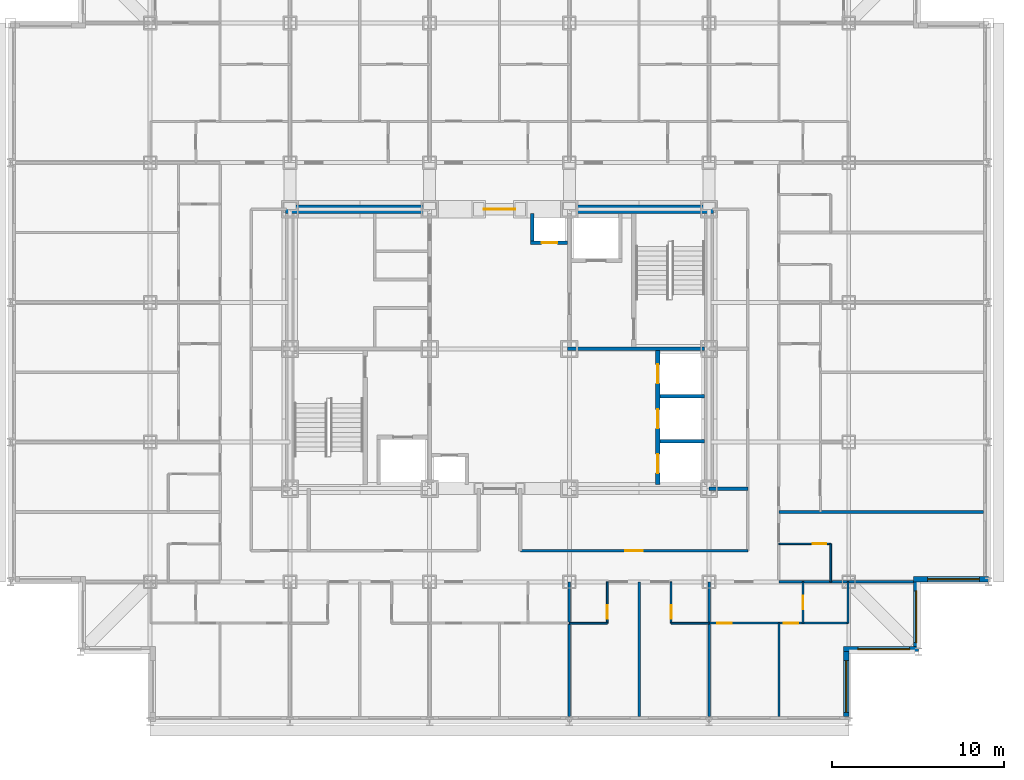
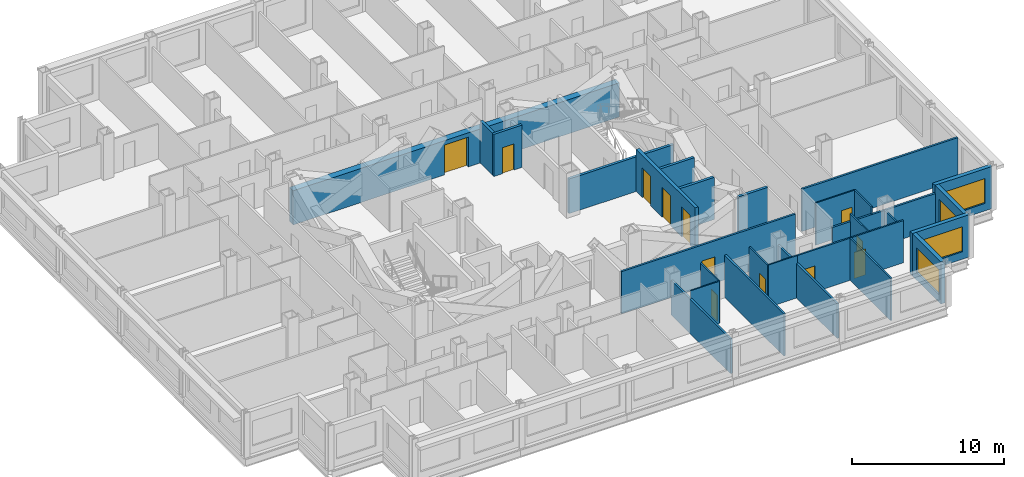
# One storey, part 7 of 12: 28 walls, 12 doors, 4 windows, 16 openings.
"""IFC4 building model written with IfcOpenShell, lengths in metres."""

import ifcopenshell
import ifcopenshell.guid

model = None  # the IFC model being written
_history = None  # IfcOwnerHistory: only IFC2X3 demands one
_inside = {}  # id of a spatial element -> (the spatial element, [elements in it])
_under = {}  # id of a project, library or spatial element -> (it, [spatial elements below it])
_declared = {}  # id of a project -> (the project, [libraries it declares])
_typed = {}  # id of a type object -> (the type object, [elements of that type])
_made_of = {}  # id of a material, layer set ... -> (it, [elements and type objects made of it])


def new_model(schema):
    """Start an empty IFC model of exactly this schema.

    Asked for "IFC4X3", IfcOpenShell would pick the latest addendum, in which some entities
    have other attributes; the version numbers below select the first issue.
    IFC2X3 requires an IfcOwnerHistory on every rooted entity: one is made here for all.
    """
    global model, _history
    if schema == "IFC4X3":
        model = ifcopenshell.file(schema_version=(4, 3, 0, 0))
    else:
        model = ifcopenshell.file(schema=schema)
    _inside.clear()
    _under.clear()
    _declared.clear()
    _typed.clear()
    _made_of.clear()
    _history = None
    if model.schema == "IFC2X3":
        org = make("IfcOrganization", Name="unknown")
        user = make(
            "IfcPersonAndOrganization",
            ThePerson=make("IfcPerson", FamilyName="unknown"),
            TheOrganization=org,
        )
        app = make(
            "IfcApplication",
            ApplicationDeveloper=org,
            Version="unknown",
            ApplicationFullName="unknown",
            ApplicationIdentifier="unknown",
        )
        _history = make(
            "IfcOwnerHistory",
            OwningUser=user,
            OwningApplication=app,
            ChangeAction="ADDED",
            CreationDate=0,
        )
    return model


def make(cls, **values):
    """One entity of the class cls with the attributes given. An attribute that is None is left unset."""
    return model.create_entity(
        cls, **{name: value for name, value in values.items() if value is not None}
    )


def rooted(cls, **values):
    """An entity with a GlobalId (a new one), such as an element, a storey or a relation."""
    return make(cls, GlobalId=ifcopenshell.guid.new(), OwnerHistory=_history, **values)


def si_unit(unit_type, name, prefix=None):
    """IfcSIUnit, for example si_unit("LENGTHUNIT", "METRE", prefix="MILLI")."""
    return make("IfcSIUnit", UnitType=unit_type, Prefix=prefix, Name=name)


def assignment(units):
    """IfcUnitAssignment: the units of a project."""
    return None if units is None else make("IfcUnitAssignment", Units=units)


def point(xyz):
    """IfcCartesianPoint."""
    return None if xyz is None else make("IfcCartesianPoint", Coordinates=xyz)


def direction(xyz):
    """IfcDirection."""
    return None if xyz is None else make("IfcDirection", DirectionRatios=xyz)


def frame(location, z_axis=None, x_axis=None):
    """IfcAxis2Placement3D, a coordinate frame: its origin and axes. An axis left out is left unset."""
    return make(
        "IfcAxis2Placement3D",
        Location=point(location),
        Axis=direction(z_axis),
        RefDirection=direction(x_axis),
    )


def frame_2d(location, x_axis=None):
    """IfcAxis2Placement2D, a coordinate frame in the plane: its origin and x axis."""
    return make(
        "IfcAxis2Placement2D", Location=point(location), RefDirection=direction(x_axis)
    )


def origin():
    """The frame at (0, 0, 0) with its axes left unset."""
    return frame((0.0, 0.0, 0.0))


def place(relative_to, where):
    """IfcLocalPlacement: puts the frame where relative to a parent placement (None: the world)."""
    return make(
        "IfcLocalPlacement", PlacementRelTo=relative_to, RelativePlacement=where
    )


def context(
    kind, dimensions, precision=None, world=None, true_north=None, identifier=None
):
    """IfcGeometricRepresentationContext, for example the 3D "Model" context."""
    return make(
        "IfcGeometricRepresentationContext",
        ContextIdentifier=identifier,
        ContextType=kind,
        CoordinateSpaceDimension=dimensions,
        Precision=precision,
        WorldCoordinateSystem=world,
        TrueNorth=true_north,
    )


def subcontext(parent, identifier, kind, view, scale=None):
    """IfcGeometricRepresentationSubContext, for example "Body" below "Model"."""
    return make(
        "IfcGeometricRepresentationSubContext",
        ContextIdentifier=identifier,
        ContextType=kind,
        ParentContext=parent,
        TargetScale=scale,
        TargetView=view,
    )


def project(units=None, contexts=None):
    """IfcProject with its units and contexts."""
    return rooted(
        "IfcProject",
        Name="project",
        RepresentationContexts=contexts,
        UnitsInContext=assignment(units),
    )


def spatial(cls, under=None, at=None, **own):
    """A site, building, storey or space (cls), placed at a placement, below another one or the project."""
    s = rooted(cls, ObjectPlacement=at, **own)
    if under is not None:
        _under.setdefault(under.id(), (under, []))[1].append(s)
    return s


def profile(cls, at=None, kind="AREA", **sizes):
    """A parametric profile (cls). Its sizes go by their IFC names, for example OverallWidth=200.0."""
    return make(cls, ProfileType=kind, Position=at, **sizes)


def rectangle(**sizes):
    """IfcRectangleProfileDef."""
    return profile("IfcRectangleProfileDef", **sizes)


def extrude(swept, where, along, depth):
    """IfcExtrudedAreaSolid: the profile swept, set in the frame where, extruded along a direction by depth."""
    return make(
        "IfcExtrudedAreaSolid",
        SweptArea=swept,
        Position=where,
        ExtrudedDirection=direction(along),
        Depth=depth,
    )


def shape(context_of_items, identifier, shape_type, items):
    """IfcShapeRepresentation: the items that make up one representation, for example the "Body"."""
    return make(
        "IfcShapeRepresentation",
        ContextOfItems=context_of_items,
        RepresentationIdentifier=identifier,
        RepresentationType=shape_type,
        Items=items,
    )


def material(Name=None, Category=None):
    """IfcMaterial."""
    return make("IfcMaterial", Name=Name, Category=Category)


def layer(
    of_material, thickness, ventilated=None, Name=None, Category=None, Priority=None
):
    """IfcMaterialLayer: one layer of a wall or slab, of a material (None: an air gap)."""
    return make(
        "IfcMaterialLayer",
        Material=of_material,
        LayerThickness=thickness,
        IsVentilated=ventilated,
        Name=Name,
        Category=Category,
        Priority=Priority,
    )


def layer_set(layers, Name=None):
    """IfcMaterialLayerSet."""
    return make("IfcMaterialLayerSet", MaterialLayers=layers, LayerSetName=Name)


def made_of(thing, what):
    """Note that an element or type object is made of a material, layer set ...; save() writes the relation."""
    if what is not None:
        _made_of.setdefault(what.id(), (what, []))[1].append(thing)
    return thing


def type_object(cls, material=None, **own):
    """A type object (cls), such as IfcWallType, which elements share."""
    return made_of(rooted(cls, **own), material)


def element(
    cls,
    number,
    at=None,
    inside=None,
    cuts=None,
    type_object=None,
    material=None,
    context=None,
    identifier="Body",
    shape_type=None,
    held_by="IfcProductDefinitionShape",
    body=None,
    shapes=None,
    **own,
):
    """One element of the class cls, such as IfcWall. Its Tag is "e" and its number.

    at: its placement. inside: the storey or other place that contains it. cuts: it is an
    opening in that element (IfcRelVoidsElement). A single representation is given by context,
    identifier, shape_type and body (its items); several are given by shapes. held_by: the class
    of the entity that holds the representations. save() writes the other relations.
    """
    e = rooted(cls, Tag="e%d" % number, ObjectPlacement=at, **own)
    if body is not None:
        shapes = [shape(context, identifier, shape_type, body)]
    if shapes is not None:
        e.Representation = make(held_by, Representations=shapes)
    if inside is not None:
        _inside.setdefault(inside.id(), (inside, []))[1].append(e)
    if cuts is not None:
        rooted(
            "IfcRelVoidsElement", RelatingBuildingElement=cuts, RelatedOpeningElement=e
        )
    if type_object is not None:
        _typed.setdefault(type_object.id(), (type_object, []))[1].append(e)
    return made_of(e, material)


def fill(opening, filler):
    """IfcRelFillsElement: the door or window that sits in an opening."""
    return rooted(
        "IfcRelFillsElement",
        RelatingOpeningElement=opening,
        RelatedBuildingElement=filler,
    )


def aggregate(whole, parts):
    """IfcRelAggregates: a whole, such as a stair, and the parts it consists of."""
    return rooted("IfcRelAggregates", RelatingObject=whole, RelatedObjects=parts)


def save(model, path):
    """Write the relations noted so far, then the file.

    IfcRelAggregates (storeys below a building ...), IfcRelContainedInSpatialStructure (elements
    in a storey), IfcRelDefinesByType, IfcRelAssociatesMaterial and IfcRelDeclares: one each for
    every whole, place, type object, material and project.
    """
    for whole, parts in _under.values():
        aggregate(whole, parts)
    for where, things in _inside.values():
        rooted(
            "IfcRelContainedInSpatialStructure",
            RelatedElements=things,
            RelatingStructure=where,
        )
    for kind, things in _typed.values():
        rooted("IfcRelDefinesByType", RelatedObjects=things, RelatingType=kind)
    for what, things in _made_of.values():
        rooted("IfcRelAssociatesMaterial", RelatedObjects=things, RelatingMaterial=what)
    for by, libraries in _declared.values():
        rooted("IfcRelDeclares", RelatingContext=by, RelatedDefinitions=libraries)
    model.write(path)


model = new_model("IFC4")

# Units and contexts
model_context = context("Model", 3, precision=1e-05, world=origin(), true_north=direction((0.0, 1.0)))
body_context = subcontext(model_context, "Body", "Model", "MODEL_VIEW")
ifc_project = project(units=[si_unit("LENGTHUNIT", "METRE"), si_unit("AREAUNIT", "SQUARE_METRE"), si_unit("VOLUMEUNIT", "CUBIC_METRE"), si_unit("PLANEANGLEUNIT", "RADIAN"), si_unit("MASSUNIT", "GRAM", prefix="KILO")], contexts=[model_context])

# Site, building, storey
site_placement = place(None, origin())
site = spatial("IfcSite", under=ifc_project, at=site_placement, CompositionType="ELEMENT")
building_placement = place(site_placement, origin())
building = spatial("IfcBuilding", under=site, at=building_placement, Name="Kopane Lantern Tower", CompositionType="ELEMENT")
storey_placement = place(building_placement, frame((0.0, 0.0, 174.0)))
storey = spatial("IfcBuildingStorey", under=building, at=storey_placement, Name="L44", CompositionType="ELEMENT", Elevation=174.0)

# Wall, openings, doors
ifc_material_1 = material(Name="Gypsum board on steel studs", Category="steel")
ifc_layer_1 = layer(ifc_material_1, 0.1201171875)
ifc_layer_set_1 = layer_set([ifc_layer_1], Name="APARTMENT INTERNAL WALL 120")
wall_type_1 = type_object("IfcWallType", Name="APARTMENT INTERNAL WALL 120", PredefinedType="PARTITIONING", material=ifc_layer_set_1)
wall_1_placement = place(storey_placement, frame((40.5, 16.5, 0.0), z_axis=(0.0, 0.0, 1.0), x_axis=(1.0, 0.0, 0.0)))
wall_1 = element("IfcWall", 1, at=wall_1_placement, inside=storey, type_object=wall_type_1, Name="Apartment Internal Wall 120 L44", PredefinedType="PARTITIONING", context=body_context, shape_type="SweptSolid", body=[
    extrude(rectangle(XDim=8.050048828125, YDim=0.1201171875, at=frame_2d((4.02490234375, 0.0))), origin(), (0.0, 0.0, 1.0), 3.389892578125),
])
opening_1_placement = place(wall_1_placement, frame((0.47509765625, 0.0, 0.0)))
opening_1 = element("IfcOpeningElement", 2, at=opening_1_placement, cuts=wall_1, Name="Opening L44-059", PredefinedType="OPENING", context=body_context, shape_type="SweptSolid", body=[
    extrude(rectangle(XDim=0.85009765625, YDim=2.10009765625, at=frame_2d((0.425048828125, 1.050048828125))), frame((0.0, 0.070068359375, 0.0), z_axis=(0.0, -1.0, 0.0), x_axis=(1.0, 0.0, 0.0)), (0.0, 0.0, 1.0), 0.14013671875),
])
opening_2_placement = place(wall_1_placement, frame((4.324951171875, 0.0, 0.0)))
opening_2 = element("IfcOpeningElement", 3, at=opening_2_placement, cuts=wall_1, Name="Opening L44-061", PredefinedType="OPENING", context=body_context, shape_type="SweptSolid", body=[
    extrude(rectangle(XDim=0.85009765625, YDim=2.10009765625, at=frame_2d((0.425048828125, 1.050048828125))), frame((0.0, 0.070068359375, 0.0), z_axis=(0.0, -1.0, 0.0), x_axis=(1.0, 0.0, 0.0)), (0.0, 0.0, 1.0), 0.14013671875),
])
ifc_material_2 = material(Name="Timber door set", Category="wood")
door_type_1 = type_object("IfcDoorType", Name="DOOR D4 850x2100", OperationType="SINGLE_SWING_LEFT", PredefinedType="DOOR", material=ifc_material_2)
door_1_placement = place(opening_1_placement, origin())
door_1 = element("IfcDoor", 4, at=door_1_placement, inside=storey, type_object=door_type_1, Name="Door L44-059", OperationType="SINGLE_SWING_LEFT", OverallHeight=2.10009765625, OverallWidth=0.85009765625, PredefinedType="DOOR", context=body_context, shape_type="SweptSolid", body=[
    extrude(rectangle(XDim=0.85009765625, YDim=2.10009765625, at=frame_2d((0.425048828125, 1.050048828125))), frame((0.0, 0.02490234375, 0.0), z_axis=(0.0, -1.0, 0.0), x_axis=(1.0, 0.0, 0.0)), (0.0, 0.0, 1.0), 0.050048828125),
])
fill(opening_1, door_1)
door_2_placement = place(opening_2_placement, origin())
door_2 = element("IfcDoor", 5, at=door_2_placement, inside=storey, type_object=door_type_1, Name="Door L44-061", OperationType="SINGLE_SWING_RIGHT", OverallHeight=2.10009765625, OverallWidth=0.85009765625, PredefinedType="DOOR", context=body_context, shape_type="SweptSolid", body=[
    extrude(rectangle(XDim=0.85009765625, YDim=2.10009765625, at=frame_2d((0.425048828125, 1.050048828125))), frame((0.0, 0.02490234375, 0.0), z_axis=(0.0, -1.0, 0.0), x_axis=(1.0, 0.0, 0.0)), (0.0, 0.0, 1.0), 0.050048828125),
])
fill(opening_2, door_2)

# Walls
wall_2_placement = place(storey_placement, frame((44.550048828125, 16.5, 0.0), z_axis=(0.0, 0.0, 1.0), x_axis=(0.0, -1.0, 0.0)))
element("IfcWall", 6, at=wall_2_placement, inside=storey, type_object=wall_type_1, Name="Apartment Internal Wall 120 L44", PredefinedType="PARTITIONING", context=body_context, shape_type="SweptSolid", body=[
    extrude(rectangle(XDim=5.39990234375, YDim=0.1201171875, at=frame_2d((2.699951171875, 0.0))), origin(), (0.0, 0.0, 1.0), 3.389892578125),
])
ifc_material_3 = material(Name="Moisture-resistant board on steel studs", Category="steel")
ifc_layer_2 = layer(ifc_material_3, 0.10009765625)
ifc_layer_set_2 = layer_set([ifc_layer_2], Name="BATHROOM WALL 100")
wall_type_2 = type_object("IfcWallType", Name="BATHROOM WALL 100", PredefinedType="PARTITIONING", material=ifc_layer_set_2)
wall_3_placement = place(storey_placement, frame((32.39990234375, 16.5, 0.0), z_axis=(0.0, 0.0, 1.0), x_axis=(1.0, 0.0, 0.0)))
element("IfcWall", 7, at=wall_3_placement, inside=storey, type_object=wall_type_2, Name="Bathroom Wall 100 L44", PredefinedType="PARTITIONING", context=body_context, shape_type="SweptSolid", body=[
    extrude(rectangle(XDim=2.2001953125, YDim=0.10009765625, at=frame_2d((1.10009765625, 0.0))), origin(), (0.0, 0.0, 1.0), 3.389892578125),
])

# Wall, opening, door
wall_4_placement = place(storey_placement, frame((34.60009765625, 18.89990234375, 0.0), z_axis=(0.0, 0.0, 1.0), x_axis=(0.0, -1.0, 0.0)))
wall_4 = element("IfcWall", 8, at=wall_4_placement, inside=storey, type_object=wall_type_2, Name="Bathroom Wall 100 L44", PredefinedType="PARTITIONING", context=body_context, shape_type="SweptSolid", body=[
    extrude(rectangle(XDim=2.39990234375, YDim=0.10009765625, at=frame_2d((1.199951171875, 0.0))), origin(), (0.0, 0.0, 1.0), 3.389892578125),
])
opening_3_placement = place(wall_4_placement, frame((1.35009765625, 0.0, 0.0)))
opening_3 = element("IfcOpeningElement", 9, at=opening_3_placement, cuts=wall_4, Name="Opening L44-016", PredefinedType="OPENING", context=body_context, shape_type="SweptSolid", body=[
    extrude(rectangle(XDim=0.800048828125, YDim=2.10009765625, at=frame_2d((0.39990234375, 1.050048828125))), frame((0.0, 0.06005859375, 0.0), z_axis=(0.0, -1.0, 0.0), x_axis=(1.0, 0.0, 0.0)), (0.0, 0.0, 1.0), 0.1201171875),
])
ifc_material_4 = material(Name="Timber door set", Category="wood")
door_type_2 = type_object("IfcDoorType", Name="DOOR D2 800x2100", OperationType="SINGLE_SWING_LEFT", PredefinedType="DOOR", material=ifc_material_4)
door_3_placement = place(opening_3_placement, origin())
door_3 = element("IfcDoor", 10, at=door_3_placement, inside=storey, type_object=door_type_2, Name="Door L44-016", OperationType="SINGLE_SWING_LEFT", OverallHeight=2.10009765625, OverallWidth=0.800048828125, PredefinedType="DOOR", context=body_context, shape_type="SweptSolid", body=[
    extrude(rectangle(XDim=0.800048828125, YDim=2.10009765625, at=frame_2d((0.39990234375, 1.050048828125))), frame((0.0, 0.02490234375, 0.0), z_axis=(0.0, -1.0, 0.0), x_axis=(1.0, 0.0, 0.0)), (0.0, 0.0, 1.0), 0.050048828125),
])
fill(opening_3, door_3)

# Wall
wall_5_placement = place(storey_placement, frame((38.300048828125, 16.5, 0.0), z_axis=(0.0, 0.0, 1.0), x_axis=(1.0, 0.0, 0.0)))
element("IfcWall", 11, at=wall_5_placement, inside=storey, type_object=wall_type_2, Name="Bathroom Wall 100 L44", PredefinedType="PARTITIONING", context=body_context, shape_type="SweptSolid", body=[
    extrude(rectangle(XDim=2.199951171875, YDim=0.10009765625, at=frame_2d((1.10009765625, 0.0))), origin(), (0.0, 0.0, 1.0), 3.389892578125),
])

# Wall, opening, door
wall_6_placement = place(storey_placement, frame((38.300048828125, 18.89990234375, 0.0), z_axis=(0.0, 0.0, 1.0), x_axis=(0.0, -1.0, 0.0)))
wall_6 = element("IfcWall", 12, at=wall_6_placement, inside=storey, type_object=wall_type_2, Name="Bathroom Wall 100 L44", PredefinedType="PARTITIONING", context=body_context, shape_type="SweptSolid", body=[
    extrude(rectangle(XDim=2.39990234375, YDim=0.10009765625, at=frame_2d((1.199951171875, 0.0))), origin(), (0.0, 0.0, 1.0), 3.389892578125),
])
opening_4_placement = place(wall_6_placement, frame((1.35009765625, 0.0, 0.0)))
opening_4 = element("IfcOpeningElement", 13, at=opening_4_placement, cuts=wall_6, Name="Opening L44-018", PredefinedType="OPENING", context=body_context, shape_type="SweptSolid", body=[
    extrude(rectangle(XDim=0.800048828125, YDim=2.10009765625, at=frame_2d((0.39990234375, 1.050048828125))), frame((0.0, 0.06005859375, 0.0), z_axis=(0.0, -1.0, 0.0), x_axis=(1.0, 0.0, 0.0)), (0.0, 0.0, 1.0), 0.1201171875),
])
door_4_placement = place(opening_4_placement, origin())
door_4 = element("IfcDoor", 14, at=door_4_placement, inside=storey, type_object=door_type_2, Name="Door L44-018", OperationType="SINGLE_SWING_RIGHT", OverallHeight=2.10009765625, OverallWidth=0.800048828125, PredefinedType="DOOR", context=body_context, shape_type="SweptSolid", body=[
    extrude(rectangle(XDim=0.800048828125, YDim=2.10009765625, at=frame_2d((0.39990234375, 1.050048828125))), frame((0.0, 0.02490234375, 0.0), z_axis=(0.0, -1.0, 0.0), x_axis=(1.0, 0.0, 0.0)), (0.0, 0.0, 1.0), 0.050048828125),
])
fill(opening_4, door_4)

# Wall
wall_7_placement = place(storey_placement, frame((47.550048828125, 18.89990234375, 0.0), z_axis=(0.0, 0.0, 1.0), x_axis=(0.0, 1.0, 0.0)))
element("IfcWall", 15, at=wall_7_placement, inside=storey, type_object=wall_type_2, Name="Bathroom Wall 100 L44", PredefinedType="PARTITIONING", context=body_context, shape_type="SweptSolid", body=[
    extrude(rectangle(XDim=2.2001953125, YDim=0.10009765625, at=frame_2d((1.10009765625, 0.0))), origin(), (0.0, 0.0, 1.0), 3.389892578125),
])

# Wall, opening, door
wall_8_placement = place(storey_placement, frame((44.550048828125, 21.10009765625, 0.0), z_axis=(0.0, 0.0, 1.0), x_axis=(1.0, 0.0, 0.0)))
wall_8 = element("IfcWall", 16, at=wall_8_placement, inside=storey, type_object=wall_type_2, Name="Bathroom Wall 100 L44", PredefinedType="PARTITIONING", context=body_context, shape_type="SweptSolid", body=[
    extrude(rectangle(XDim=3.0, YDim=0.10009765625, at=frame_2d((1.5, 0.0))), origin(), (0.0, 0.0, 1.0), 3.389892578125),
])
opening_5_placement = place(wall_8_placement, frame((1.949951171875, 0.0, 0.0)))
opening_5 = element("IfcOpeningElement", 17, at=opening_5_placement, cuts=wall_8, Name="Opening L44-044", PredefinedType="OPENING", context=body_context, shape_type="SweptSolid", body=[
    extrude(rectangle(XDim=0.800048828125, YDim=2.10009765625, at=frame_2d((0.39990234375, 1.050048828125))), frame((0.0, 0.06005859375, 0.0), z_axis=(0.0, -1.0, 0.0), x_axis=(1.0, 0.0, 0.0)), (0.0, 0.0, 1.0), 0.1201171875),
])
door_5_placement = place(opening_5_placement, origin())
door_5 = element("IfcDoor", 18, at=door_5_placement, inside=storey, type_object=door_type_2, Name="Door L44-044", OperationType="SINGLE_SWING_LEFT", OverallHeight=2.10009765625, OverallWidth=0.800048828125, PredefinedType="DOOR", context=body_context, shape_type="SweptSolid", body=[
    extrude(rectangle(XDim=0.800048828125, YDim=2.10009765625, at=frame_2d((0.39990234375, 1.050048828125))), frame((0.0, 0.02490234375, 0.0), z_axis=(0.0, -1.0, 0.0), x_axis=(1.0, 0.0, 0.0)), (0.0, 0.0, 1.0), 0.050048828125),
])
fill(opening_5, door_5)

wall_9_placement = place(storey_placement, frame((45.949951171875, 18.89990234375, 0.0), z_axis=(0.0, 0.0, 1.0), x_axis=(0.0, -1.0, 0.0)))
wall_9 = element("IfcWall", 19, at=wall_9_placement, inside=storey, type_object=wall_type_2, Name="Bathroom Wall 100 L44", PredefinedType="PARTITIONING", context=body_context, shape_type="SweptSolid", body=[
    extrude(rectangle(XDim=2.39990234375, YDim=0.10009765625, at=frame_2d((1.199951171875, 0.0))), origin(), (0.0, 0.0, 1.0), 3.389892578125),
])
opening_6_placement = place(wall_9_placement, frame((0.800048828125, 0.0, 0.0)))
opening_6 = element("IfcOpeningElement", 20, at=opening_6_placement, cuts=wall_9, Name="Opening L44-060", PredefinedType="OPENING", context=body_context, shape_type="SweptSolid", body=[
    extrude(rectangle(XDim=0.800048828125, YDim=2.10009765625, at=frame_2d((0.39990234375, 1.050048828125))), frame((0.0, 0.06005859375, 0.0), z_axis=(0.0, -1.0, 0.0), x_axis=(1.0, 0.0, 0.0)), (0.0, 0.0, 1.0), 0.1201171875),
])
door_6_placement = place(opening_6_placement, origin())
door_6 = element("IfcDoor", 21, at=door_6_placement, inside=storey, type_object=door_type_2, Name="Door L44-060", OperationType="SINGLE_SWING_LEFT", OverallHeight=2.10009765625, OverallWidth=0.800048828125, PredefinedType="DOOR", context=body_context, shape_type="SweptSolid", body=[
    extrude(rectangle(XDim=0.800048828125, YDim=2.10009765625, at=frame_2d((0.39990234375, 1.050048828125))), frame((0.0, 0.02490234375, 0.0), z_axis=(0.0, -1.0, 0.0), x_axis=(1.0, 0.0, 0.0)), (0.0, 0.0, 1.0), 0.050048828125),
])
fill(opening_6, door_6)

# Wall
wall_10_placement = place(storey_placement, frame((48.550048828125, 18.89990234375, 0.0), z_axis=(0.0, 0.0, 1.0), x_axis=(0.0, -1.0, 0.0)))
element("IfcWall", 22, at=wall_10_placement, inside=storey, type_object=wall_type_2, Name="Bathroom Wall 100 L44", PredefinedType="PARTITIONING", context=body_context, shape_type="SweptSolid", body=[
    extrude(rectangle(XDim=2.39990234375, YDim=0.10009765625, at=frame_2d((1.199951171875, 0.0))), origin(), (0.0, 0.0, 1.0), 2.77783203125),
])

# Wall, opening, door
ifc_material_5 = material(Name="Gypsum shaft wall EI 120", Category="gypsum")
ifc_layer_3 = layer(ifc_material_5, 0.5)
ifc_layer_set_3 = layer_set([ifc_layer_3], Name="CORE PERIMETER WALL 500 EI 120")
wall_type_3 = type_object("IfcWallType", Name="CORE PERIMETER WALL 500 EI 120", PredefinedType="SOLIDWALL", material=ifc_layer_set_3)
wall_11_placement = place(storey_placement, frame((15.949951171875, 40.5, 0.0), z_axis=(0.0, 0.0, 1.0), x_axis=(1.0, 0.0, 0.0)))
wall_11 = element("IfcWall", 23, at=wall_11_placement, inside=storey, type_object=wall_type_3, Name="Core shaft wall L44 PN", PredefinedType="SOLIDWALL", context=body_context, shape_type="SweptSolid", body=[
    extrude(rectangle(XDim=24.800048828125, YDim=0.5, at=frame_2d((12.39990234375, 0.0))), origin(), (0.0, 0.0, 1.0), 2.739990234375),
])
opening_7_placement = place(wall_11_placement, frame((11.5, 0.0, 0.0)))
opening_7 = element("IfcOpeningElement", 24, at=opening_7_placement, cuts=wall_11, Name="Opening 44.CE-N", PredefinedType="OPENING", context=body_context, shape_type="SweptSolid", body=[
    extrude(rectangle(XDim=1.800048828125, YDim=2.39990234375, at=frame_2d((0.89990234375, 1.199951171875))), frame((0.0, 0.260009765625, 0.0), z_axis=(0.0, -1.0, 0.0), x_axis=(1.0, 0.0, 0.0)), (0.0, 0.0, 1.0), 0.52001953125),
])
ifc_material_6 = material(Name="Steel door set", Category="steel")
door_type_3 = type_object("IfcDoorType", Name="CORE ENTRY DOOR 1800x2400 FD60S", OperationType="DOUBLE_DOOR_SINGLE_SWING", PredefinedType="DOOR", material=ifc_material_6)
door_7_placement = place(opening_7_placement, origin())
door_7 = element("IfcDoor", 25, at=door_7_placement, inside=storey, type_object=door_type_3, Name="Core entry door L44 north", OperationType="DOUBLE_DOOR_SINGLE_SWING", OverallHeight=2.39990234375, OverallWidth=1.800048828125, PredefinedType="DOOR", context=body_context, shape_type="SweptSolid", body=[
    extrude(rectangle(XDim=1.800048828125, YDim=2.39990234375, at=frame_2d((0.89990234375, 1.199951171875))), frame((0.0, 0.02490234375, 0.0), z_axis=(0.0, -1.0, 0.0), x_axis=(1.0, 0.0, 0.0)), (0.0, 0.0, 1.0), 0.050048828125),
])
fill(opening_7, door_7)

# Wall, openings, doors
ifc_material_7 = material(Name="Gypsum shaft wall EI 120", Category="gypsum")
ifc_layer_4 = layer(ifc_material_7, 0.25)
ifc_layer_set_4 = layer_set([ifc_layer_4], Name="CORE SHAFT WALL 250 EI 120")
wall_type_4 = type_object("IfcWallType", Name="CORE SHAFT WALL 250 EI 120", PredefinedType="SOLIDWALL", material=ifc_layer_set_4)
wall_12_placement = place(storey_placement, frame((37.52490234375, 24.550048828125, 0.0), z_axis=(0.0, 0.0, 1.0), x_axis=(0.0, 1.0, 0.0)))
wall_12 = element("IfcWall", 26, at=wall_12_placement, inside=storey, type_object=wall_type_4, Name="Core shaft wall L44 XLR", PredefinedType="SOLIDWALL", context=body_context, shape_type="SweptSolid", body=[
    extrude(rectangle(XDim=7.75, YDim=0.25, at=frame_2d((3.875, 0.0))), origin(), (0.0, 0.0, 1.0), 3.389892578125),
])
opening_8_placement = place(wall_12_placement, frame((0.64990234375, 0.0, 0.0)))
opening_8 = element("IfcOpeningElement", 27, at=opening_8_placement, cuts=wall_12, Name="Opening 44.LD-LR1", PredefinedType="OPENING", context=body_context, shape_type="SweptSolid", body=[
    extrude(rectangle(XDim=1.10009765625, YDim=2.39990234375, at=frame_2d((0.550048828125, 1.199951171875))), frame((0.0, 0.135009765625, 0.0), z_axis=(0.0, -1.0, 0.0), x_axis=(1.0, 0.0, 0.0)), (0.0, 0.0, 1.0), 0.27001953125),
])
opening_9_placement = place(wall_12_placement, frame((3.25, 0.0, 0.0)))
opening_9 = element("IfcOpeningElement", 28, at=opening_9_placement, cuts=wall_12, Name="Opening 44.LD-LR2", PredefinedType="OPENING", context=body_context, shape_type="SweptSolid", body=[
    extrude(rectangle(XDim=1.10009765625, YDim=2.39990234375, at=frame_2d((0.550048828125, 1.199951171875))), frame((0.0, 0.135009765625, 0.0), z_axis=(0.0, -1.0, 0.0), x_axis=(1.0, 0.0, 0.0)), (0.0, 0.0, 1.0), 0.27001953125),
])
opening_10_placement = place(wall_12_placement, frame((5.85009765625, 0.0, 0.0)))
opening_10 = element("IfcOpeningElement", 29, at=opening_10_placement, cuts=wall_12, Name="Opening 44.LD-LR3", PredefinedType="OPENING", context=body_context, shape_type="SweptSolid", body=[
    extrude(rectangle(XDim=1.10009765625, YDim=2.39990234375, at=frame_2d((0.550048828125, 1.199951171875))), frame((0.0, 0.135009765625, 0.0), z_axis=(0.0, -1.0, 0.0), x_axis=(1.0, 0.0, 0.0)), (0.0, 0.0, 1.0), 0.27001953125),
])
ifc_material_8 = material(Name="Steel door set", Category="steel")
door_type_4 = type_object("IfcDoorType", Name="LIFT LANDING DOOR 1100x2400 FD60", OperationType="DOUBLE_DOOR_SLIDING", PredefinedType="DOOR", material=ifc_material_8)
door_8_placement = place(opening_8_placement, origin())
door_8 = element("IfcDoor", 30, at=door_8_placement, inside=storey, type_object=door_type_4, Name="Landing door LR1 L44", OperationType="DOUBLE_DOOR_SLIDING", OverallHeight=2.39990234375, OverallWidth=1.10009765625, PredefinedType="DOOR", context=body_context, shape_type="SweptSolid", body=[
    extrude(rectangle(XDim=1.10009765625, YDim=2.39990234375, at=frame_2d((0.550048828125, 1.199951171875))), frame((0.0, 0.02490234375, 0.0), z_axis=(0.0, -1.0, 0.0), x_axis=(1.0, 0.0, 0.0)), (0.0, 0.0, 1.0), 0.050048828125),
])
fill(opening_8, door_8)
door_9_placement = place(opening_9_placement, origin())
door_9 = element("IfcDoor", 31, at=door_9_placement, inside=storey, type_object=door_type_4, Name="Landing door LR2 L44", OperationType="DOUBLE_DOOR_SLIDING", OverallHeight=2.39990234375, OverallWidth=1.10009765625, PredefinedType="DOOR", context=body_context, shape_type="SweptSolid", body=[
    extrude(rectangle(XDim=1.10009765625, YDim=2.39990234375, at=frame_2d((0.550048828125, 1.199951171875))), frame((0.0, 0.02490234375, 0.0), z_axis=(0.0, -1.0, 0.0), x_axis=(1.0, 0.0, 0.0)), (0.0, 0.0, 1.0), 0.050048828125),
])
fill(opening_9, door_9)
door_10_placement = place(opening_10_placement, origin())
door_10 = element("IfcDoor", 32, at=door_10_placement, inside=storey, type_object=door_type_4, Name="Landing door LR3 L44", OperationType="DOUBLE_DOOR_SLIDING", OverallHeight=2.39990234375, OverallWidth=1.10009765625, PredefinedType="DOOR", context=body_context, shape_type="SweptSolid", body=[
    extrude(rectangle(XDim=1.10009765625, YDim=2.39990234375, at=frame_2d((0.550048828125, 1.199951171875))), frame((0.0, 0.02490234375, 0.0), z_axis=(0.0, -1.0, 0.0), x_axis=(1.0, 0.0, 0.0)), (0.0, 0.0, 1.0), 0.050048828125),
])
fill(opening_10, door_10)

# Wall, opening, door
ifc_material_9 = material(Name="Gypsum board on steel studs", Category="steel")
ifc_layer_5 = layer(ifc_material_9, 0.14990234375)
ifc_layer_set_5 = layer_set([ifc_layer_5], Name="CORRIDOR WALL 150 EI 60")
wall_type_5 = type_object("IfcWallType", Name="CORRIDOR WALL 150 EI 60", PredefinedType="PARTITIONING", material=ifc_layer_set_5)
wall_13_placement = place(storey_placement, frame((29.56005859375, 20.699951171875, 0.0), z_axis=(0.0, 0.0, 1.0), x_axis=(1.0, 0.0, 0.0)))
wall_13 = element("IfcWall", 33, at=wall_13_placement, inside=storey, type_object=wall_type_5, Name="Corridor Wall 150 Ei 60 L44", PredefinedType="PARTITIONING", context=body_context, shape_type="SweptSolid", body=[
    extrude(rectangle(XDim=13.18994140625, YDim=0.14990234375, at=frame_2d((6.594970703125, 0.0))), origin(), (0.0, 0.0, 1.0), 3.389892578125),
])
opening_11_placement = place(wall_13_placement, frame((6.090087890625, 0.0, 0.0)))
opening_11 = element("IfcOpeningElement", 34, at=opening_11_placement, cuts=wall_13, Name="Opening L44-007", PredefinedType="OPENING", context=body_context, shape_type="SweptSolid", body=[
    extrude(rectangle(XDim=1.0, YDim=2.10009765625, at=frame_2d((0.5, 1.050048828125))), frame((0.0, 0.0849609375, 0.0), z_axis=(0.0, -1.0, 0.0), x_axis=(1.0, 0.0, 0.0)), (0.0, 0.0, 1.0), 0.169921875),
])
ifc_material_10 = material(Name="Steel door set", Category="steel")
door_type_5 = type_object("IfcDoorType", Name="DOOR D5 1000x2100 FD60", OperationType="SINGLE_SWING_LEFT", PredefinedType="DOOR", material=ifc_material_10)
door_11_placement = place(opening_11_placement, origin())
door_11 = element("IfcDoor", 35, at=door_11_placement, inside=storey, type_object=door_type_5, Name="Door L44-007", OperationType="SINGLE_SWING_LEFT", OverallHeight=2.10009765625, OverallWidth=1.0, PredefinedType="DOOR", context=body_context, shape_type="SweptSolid", body=[
    extrude(rectangle(XDim=1.0, YDim=2.10009765625, at=frame_2d((0.5, 1.050048828125))), frame((0.0, 0.02490234375, 0.0), z_axis=(0.0, -1.0, 0.0), x_axis=(1.0, 0.0, 0.0)), (0.0, 0.0, 1.0), 0.050048828125),
])
fill(opening_11, door_11)

# Walls
ifc_material_11 = material(Name="Gypsum board on steel studs", Category="steel")
ifc_layer_6 = layer(ifc_material_11, 0.14990234375)
ifc_layer_set_6 = layer_set([ifc_layer_6], Name="DEMISING WALL 150 EI 60")
wall_type_6 = type_object("IfcWallType", Name="DEMISING WALL 150 EI 60", PredefinedType="PARTITIONING", material=ifc_layer_set_6)
wall_14_placement = place(storey_placement, frame((32.39990234375, 18.89990234375, 0.0), z_axis=(0.0, 0.0, 1.0), x_axis=(0.0, -1.0, 0.0)))
element("IfcWall", 36, at=wall_14_placement, inside=storey, type_object=wall_type_6, Name="Demising Wall 150 Ei 60 L44", PredefinedType="PARTITIONING", context=body_context, shape_type="SweptSolid", body=[
    extrude(rectangle(XDim=7.7998046875, YDim=0.14990234375, at=frame_2d((3.89990234375, 0.0))), origin(), (0.0, 0.0, 1.0), 2.77783203125),
])
wall_15_placement = place(storey_placement, frame((36.449951171875, 18.89990234375, 0.0), z_axis=(0.0, 0.0, 1.0), x_axis=(0.0, -1.0, 0.0)))
element("IfcWall", 37, at=wall_15_placement, inside=storey, type_object=wall_type_6, Name="Demising Wall 150 Ei 60 L44", PredefinedType="PARTITIONING", context=body_context, shape_type="SweptSolid", body=[
    extrude(rectangle(XDim=7.7998046875, YDim=0.14990234375, at=frame_2d((3.89990234375, 0.0))), origin(), (0.0, 0.0, 1.0), 3.389892578125),
])
wall_16_placement = place(storey_placement, frame((44.550048828125, 22.949951171875, 0.0), z_axis=(0.0, 0.0, 1.0), x_axis=(1.0, 0.0, 0.0)))
element("IfcWall", 38, at=wall_16_placement, inside=storey, type_object=wall_type_6, Name="Demising Wall 150 Ei 60 L44", PredefinedType="PARTITIONING", context=body_context, shape_type="SweptSolid", body=[
    extrude(rectangle(XDim=11.849853515625, YDim=0.14990234375, at=frame_2d((5.9248046875, 0.0))), origin(), (0.0, 0.0, 1.0), 3.389892578125),
])
wall_17_placement = place(storey_placement, frame((44.550048828125, 18.89990234375, 0.0), z_axis=(0.0, 0.0, 1.0), x_axis=(1.0, 0.0, 0.0)))
element("IfcWall", 39, at=wall_17_placement, inside=storey, type_object=wall_type_6, Name="Demising Wall 150 Ei 60 L44", PredefinedType="PARTITIONING", context=body_context, shape_type="SweptSolid", body=[
    extrude(rectangle(XDim=7.800048828125, YDim=0.14990234375, at=frame_2d((3.89990234375, 0.0))), origin(), (0.0, 0.0, 1.0), 2.77783203125),
])
wall_18_placement = place(storey_placement, frame((40.5, 18.89990234375, 0.0), z_axis=(0.0, 0.0, 1.0), x_axis=(0.0, -1.0, 0.0)))
element("IfcWall", 40, at=wall_18_placement, inside=storey, type_object=wall_type_6, Name="Demising Wall 150 Ei 60 L44", PredefinedType="PARTITIONING", context=body_context, shape_type="SweptSolid", body=[
    extrude(rectangle(XDim=7.7998046875, YDim=0.14990234375, at=frame_2d((3.89990234375, 0.0))), origin(), (0.0, 0.0, 1.0), 2.77783203125),
])

# Wall, opening, window
ifc_material_12 = material(Name="Terracotta rainscreen on light steel framing", Category="masonry")
ifc_layer_7 = layer(ifc_material_12, 0.300048828125)
ifc_layer_set_7 = layer_set([ifc_layer_7], Name="EXTERNAL WALL EW1 300 TERRACOTTA")
wall_type_7 = type_object("IfcWallType", Name="EXTERNAL WALL EW1 300 TERRACOTTA", PredefinedType="SOLIDWALL", material=ifc_layer_set_7)
wall_19_placement = place(storey_placement, frame((48.449951171875, 11.10009765625, 0.0), z_axis=(0.0, 0.0, 1.0), x_axis=(0.0, 1.0, 0.0)))
wall_19 = element("IfcWall", 41, at=wall_19_placement, inside=storey, type_object=wall_type_7, Name="External wall E L44", PredefinedType="SOLIDWALL", context=body_context, shape_type="SweptSolid", body=[
    extrude(rectangle(XDim=3.75, YDim=0.300048828125, at=frame_2d((1.875, 0.0))), origin(), (0.0, 0.0, 1.0), 3.389892578125),
])
opening_12_placement = place(wall_19_placement, frame((0.22509765625, 0.0, 0.60009765625)))
opening_12 = element("IfcOpeningElement", 42, at=opening_12_placement, cuts=wall_19, Name="Opening WR300200", PredefinedType="OPENING", context=body_context, shape_type="SweptSolid", body=[
    extrude(rectangle(XDim=3.0, YDim=2.0, at=frame_2d((1.5, 1.0))), frame((0.0, 0.159912109375, 0.0), z_axis=(0.0, -1.0, 0.0), x_axis=(1.0, 0.0, 0.0)), (0.0, 0.0, 1.0), 0.320068359375),
])
ifc_material_13 = material(Name="Aluminium and clear glass", Category="aluminium")
window_type = type_object("IfcWindowType", Name="RIBBON WINDOW WR300200 3000x2000", PartitioningType="SINGLE_PANEL", PredefinedType="WINDOW", material=ifc_material_13)
window_1_placement = place(opening_12_placement, origin())
window_1 = element("IfcWindow", 43, at=window_1_placement, inside=storey, type_object=window_type, Name="Window E L44", OverallHeight=2.0, OverallWidth=3.0, PartitioningType="SINGLE_PANEL", PredefinedType="WINDOW", context=body_context, shape_type="SweptSolid", body=[
    extrude(rectangle(XDim=3.0, YDim=2.0, at=frame_2d((1.5, 1.0))), frame((0.0, 0.030029296875, 0.0), z_axis=(0.0, -1.0, 0.0), x_axis=(1.0, 0.0, 0.0)), (0.0, 0.0, 1.0), 0.06005859375),
])
fill(opening_12, window_1)

wall_20_placement = place(storey_placement, frame((48.300048828125, 15.0, 0.0), z_axis=(0.0, 0.0, 1.0), x_axis=(1.0, 0.0, 0.0)))
wall_20 = element("IfcWall", 44, at=wall_20_placement, inside=storey, type_object=wall_type_7, Name="External wall S L44", PredefinedType="SOLIDWALL", context=body_context, shape_type="SweptSolid", body=[
    extrude(rectangle(XDim=4.349853515625, YDim=0.300048828125, at=frame_2d((2.1748046875, 0.0))), origin(), (0.0, 0.0, 1.0), 3.389892578125),
])
opening_13_placement = place(wall_20_placement, frame((0.824951171875, 0.0, 0.60009765625)))
opening_13 = element("IfcOpeningElement", 45, at=opening_13_placement, cuts=wall_20, Name="Opening WR300200", PredefinedType="OPENING", context=body_context, shape_type="SweptSolid", body=[
    extrude(rectangle(XDim=3.0, YDim=2.0, at=frame_2d((1.5, 1.0))), frame((0.0, 0.159912109375, 0.0), z_axis=(0.0, -1.0, 0.0), x_axis=(1.0, 0.0, 0.0)), (0.0, 0.0, 1.0), 0.320068359375),
])
window_2_placement = place(opening_13_placement, origin())
window_2 = element("IfcWindow", 46, at=window_2_placement, inside=storey, type_object=window_type, Name="Window S L44", OverallHeight=2.0, OverallWidth=3.0, PartitioningType="SINGLE_PANEL", PredefinedType="WINDOW", context=body_context, shape_type="SweptSolid", body=[
    extrude(rectangle(XDim=3.0, YDim=2.0, at=frame_2d((1.5, 1.0))), frame((0.0, 0.030029296875, 0.0), z_axis=(0.0, -1.0, 0.0), x_axis=(1.0, 0.0, 0.0)), (0.0, 0.0, 1.0), 0.06005859375),
])
fill(opening_13, window_2)

wall_21_placement = place(storey_placement, frame((52.5, 15.14990234375, 0.0), z_axis=(0.0, 0.0, 1.0), x_axis=(0.0, 1.0, 0.0)))
wall_21 = element("IfcWall", 47, at=wall_21_placement, inside=storey, type_object=wall_type_7, Name="External wall E L44", PredefinedType="SOLIDWALL", context=body_context, shape_type="SweptSolid", body=[
    extrude(rectangle(XDim=3.75, YDim=0.300048828125, at=frame_2d((1.875, 0.0))), origin(), (0.0, 0.0, 1.0), 3.389892578125),
])
opening_14_placement = place(wall_21_placement, frame((0.22509765625, 0.0, 0.60009765625)))
opening_14 = element("IfcOpeningElement", 48, at=opening_14_placement, cuts=wall_21, Name="Opening WR300200", PredefinedType="OPENING", context=body_context, shape_type="SweptSolid", body=[
    extrude(rectangle(XDim=3.0, YDim=2.0, at=frame_2d((1.5, 1.0))), frame((0.0, 0.159912109375, 0.0), z_axis=(0.0, -1.0, 0.0), x_axis=(1.0, 0.0, 0.0)), (0.0, 0.0, 1.0), 0.320068359375),
])
window_3_placement = place(opening_14_placement, origin())
window_3 = element("IfcWindow", 49, at=window_3_placement, inside=storey, type_object=window_type, Name="Window E L44", OverallHeight=2.0, OverallWidth=3.0, PartitioningType="SINGLE_PANEL", PredefinedType="WINDOW", context=body_context, shape_type="SweptSolid", body=[
    extrude(rectangle(XDim=3.0, YDim=2.0, at=frame_2d((1.5, 1.0))), frame((0.0, 0.030029296875, 0.0), z_axis=(0.0, -1.0, 0.0), x_axis=(1.0, 0.0, 0.0)), (0.0, 0.0, 1.0), 0.06005859375),
])
fill(opening_14, window_3)

wall_22_placement = place(storey_placement, frame((52.35009765625, 19.050048828125, 0.0), z_axis=(0.0, 0.0, 1.0), x_axis=(1.0, 0.0, 0.0)))
wall_22 = element("IfcWall", 50, at=wall_22_placement, inside=storey, type_object=wall_type_7, Name="External wall S L44", PredefinedType="SOLIDWALL", context=body_context, shape_type="SweptSolid", body=[
    extrude(rectangle(XDim=4.349853515625, YDim=0.300048828125, at=frame_2d((2.1748046875, 0.0))), origin(), (0.0, 0.0, 1.0), 3.389892578125),
])
opening_15_placement = place(wall_22_placement, frame((0.824951171875, 0.0, 0.60009765625)))
opening_15 = element("IfcOpeningElement", 51, at=opening_15_placement, cuts=wall_22, Name="Opening WR300200", PredefinedType="OPENING", context=body_context, shape_type="SweptSolid", body=[
    extrude(rectangle(XDim=3.0, YDim=2.0, at=frame_2d((1.5, 1.0))), frame((0.0, 0.159912109375, 0.0), z_axis=(0.0, -1.0, 0.0), x_axis=(1.0, 0.0, 0.0)), (0.0, 0.0, 1.0), 0.320068359375),
])
window_4_placement = place(opening_15_placement, origin())
window_4 = element("IfcWindow", 52, at=window_4_placement, inside=storey, type_object=window_type, Name="Window S L44", OverallHeight=2.0, OverallWidth=3.0, PartitioningType="SINGLE_PANEL", PredefinedType="WINDOW", context=body_context, shape_type="SweptSolid", body=[
    extrude(rectangle(XDim=3.0, YDim=2.0, at=frame_2d((1.5, 1.0))), frame((0.0, 0.030029296875, 0.0), z_axis=(0.0, -1.0, 0.0), x_axis=(1.0, 0.0, 0.0)), (0.0, 0.0, 1.0), 0.06005859375),
])
fill(opening_15, window_4)

# Walls
ifc_material_14 = material(Name="Concrete masonry", Category="masonry")
ifc_layer_8 = layer(ifc_material_14, 0.199951171875)
ifc_layer_set_8 = layer_set([ifc_layer_8], Name="PLANT ROOM WALL 200 EI 120")
wall_type_8 = type_object("IfcWallType", Name="PLANT ROOM WALL 200 EI 120", PredefinedType="SOLIDWALL", material=ifc_layer_set_8)
wall_23_placement = place(storey_placement, frame((40.5, 24.300048828125, 0.0), z_axis=(0.0, 0.0, 1.0), x_axis=(1.0, 0.0, 0.0)))
element("IfcWall", 53, at=wall_23_placement, inside=storey, type_object=wall_type_8, Name="Plant Room Wall 200 Ei 120 L44", PredefinedType="SOLIDWALL", context=body_context, shape_type="SweptSolid", body=[
    extrude(rectangle(XDim=2.25, YDim=0.199951171875, at=frame_2d((1.125, 0.0))), origin(), (0.0, 0.0, 1.0), 3.389892578125),
])
ifc_material_15 = material(Name="Gypsum shaft wall EI 120", Category="gypsum")
ifc_layer_9 = layer(ifc_material_15, 0.199951171875)
ifc_layer_set_9 = layer_set([ifc_layer_9], Name="SHAFT WALL 200 EI 120")
wall_type_9 = type_object("IfcWallType", Name="SHAFT WALL 200 EI 120", PredefinedType="SOLIDWALL", material=ifc_layer_set_9)
wall_24_placement = place(storey_placement, frame((32.300048828125, 32.39990234375, 0.0), z_axis=(0.0, 0.0, 1.0), x_axis=(1.0, 0.0, 0.0)))
element("IfcWall", 54, at=wall_24_placement, inside=storey, type_object=wall_type_9, Name="Core shaft wall L44 Y324E", PredefinedType="SOLIDWALL", context=body_context, shape_type="SweptSolid", body=[
    extrude(rectangle(XDim=7.949951171875, YDim=0.199951171875, at=frame_2d((3.97509765625, 0.0))), origin(), (0.0, 0.0, 1.0), 2.77783203125),
])
for number, where, z_axis, x_axis, name in (
    (55, (37.64990234375, 27.050048828125, 0.0), (0.0, 0.0, 1.0), (1.0, 0.0, 0.0), "Core shaft wall L44 YLR12"),
    (56, (37.64990234375, 29.64990234375, 0.0), (0.0, 0.0, 1.0), (1.0, 0.0, 0.0), "Core shaft wall L44 YLR23"),
):
    element("IfcWall", number, at=place(storey_placement, frame(where, z_axis=z_axis, x_axis=x_axis)), inside=storey, type_object=wall_type_9, Name=name, PredefinedType="SOLIDWALL", context=body_context, shape_type="SweptSolid", body=[
        extrude(rectangle(XDim=2.60009765625, YDim=0.199951171875, at=frame_2d((1.300048828125, 0.0))), origin(), (0.0, 0.0, 1.0), 3.389892578125),
    ])
wall_25_placement = place(storey_placement, frame((30.25, 38.64990234375, 0.0), z_axis=(0.0, 0.0, 1.0), x_axis=(0.0, 1.0, 0.0)))
element("IfcWall", 57, at=wall_25_placement, inside=storey, type_object=wall_type_9, Name="Core shaft wall L44 XRS2", PredefinedType="SOLIDWALL", context=body_context, shape_type="SweptSolid", body=[
    extrude(rectangle(XDim=1.60009765625, YDim=0.199951171875, at=frame_2d((0.800048828125, 0.0))), origin(), (0.0, 0.0, 1.0), 3.389892578125),
])

# Wall, opening, door
wall_26_placement = place(storey_placement, frame((30.14990234375, 38.550048828125, 0.0), z_axis=(0.0, 0.0, 1.0), x_axis=(1.0, 0.0, 0.0)))
wall_26 = element("IfcWall", 58, at=wall_26_placement, inside=storey, type_object=wall_type_9, Name="Core shaft wall L44 YRS2", PredefinedType="SOLIDWALL", context=body_context, shape_type="SweptSolid", body=[
    extrude(rectangle(XDim=2.150146484375, YDim=0.199951171875, at=frame_2d((1.0751953125, 0.0))), origin(), (0.0, 0.0, 1.0), 3.389892578125),
])
opening_16_placement = place(wall_26_placement, frame((0.64990234375, 0.0, 0.0)))
opening_16 = element("IfcOpeningElement", 59, at=opening_16_placement, cuts=wall_26, Name="Opening 44.RS2", PredefinedType="OPENING", context=body_context, shape_type="SweptSolid", body=[
    extrude(rectangle(XDim=0.89990234375, YDim=2.10009765625, at=frame_2d((0.449951171875, 1.050048828125))), frame((0.0, 0.10986328125, 0.0), z_axis=(0.0, -1.0, 0.0), x_axis=(1.0, 0.0, 0.0)), (0.0, 0.0, 1.0), 0.219970703125),
])
ifc_material_16 = material(Name="Steel door set", Category="steel")
door_type_6 = type_object("IfcDoorType", Name="RISER ACCESS DOOR 900x2100 FD60", OperationType="SINGLE_SWING_LEFT", PredefinedType="DOOR", material=ifc_material_16)
door_12_placement = place(opening_16_placement, origin())
door_12 = element("IfcDoor", 60, at=door_12_placement, inside=storey, type_object=door_type_6, Name="Riser access door RS2 L44", OperationType="SINGLE_SWING_LEFT", OverallHeight=2.10009765625, OverallWidth=0.89990234375, PredefinedType="DOOR", context=body_context, shape_type="SweptSolid", body=[
    extrude(rectangle(XDim=0.89990234375, YDim=2.10009765625, at=frame_2d((0.449951171875, 1.050048828125))), frame((0.0, 0.02490234375, 0.0), z_axis=(0.0, -1.0, 0.0), x_axis=(1.0, 0.0, 0.0)), (0.0, 0.0, 1.0), 0.050048828125),
])
fill(opening_16, door_12)

save(model, "model.ifc")
